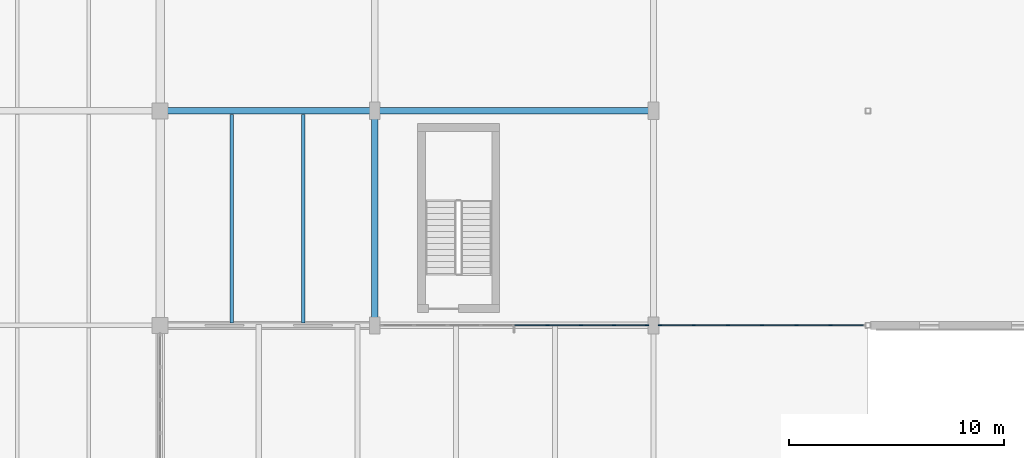
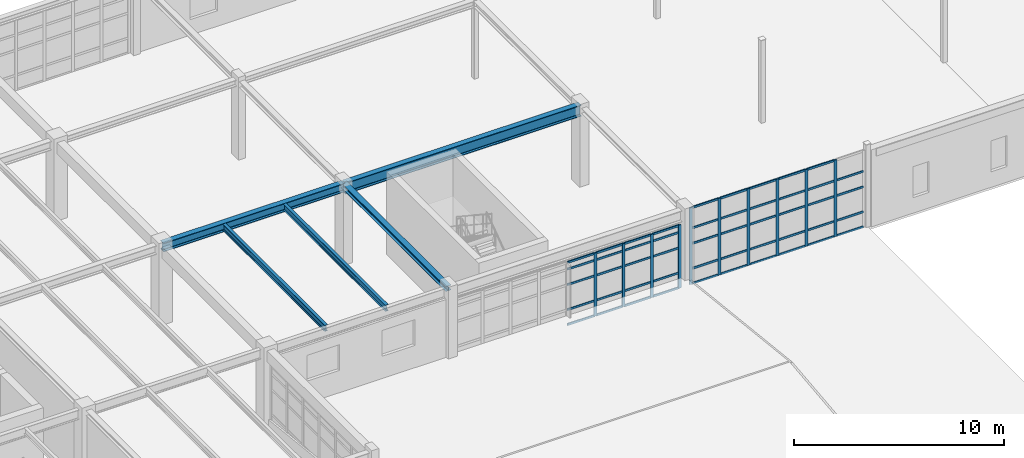
# One storey, part 29 of 139: 59 members, 5 beams, 2 elements without a shape of their own.
"""IFC4 building model written with IfcOpenShell, lengths in metres."""

from ifc_helpers import new_model, si_unit, direction, frame, origin, origin_2d, place, context, subcontext, project, spatial, rectangle, i_section, extrude, material, layer, layer_set, material_profile, profile_set, type_object, element, aggregate, save


model = new_model("IFC4")

# Units and contexts
model_context = context("Model", 3, precision=1e-05, world=origin(), true_north=direction((0.0, 1.0)))
body_context = subcontext(model_context, "Body", "Model", "MODEL_VIEW")
ifc_project = project(units=[si_unit("LENGTHUNIT", "METRE"), si_unit("AREAUNIT", "SQUARE_METRE"), si_unit("VOLUMEUNIT", "CUBIC_METRE"), si_unit("PLANEANGLEUNIT", "RADIAN"), si_unit("MASSUNIT", "GRAM", prefix="KILO"), si_unit("THERMODYNAMICTEMPERATUREUNIT", "KELVIN"), si_unit("POWERUNIT", "WATT")], contexts=[model_context])

# Site, building, storey
site_placement = place(None, origin())
site = spatial("IfcSite", under=ifc_project, at=site_placement, CompositionType="ELEMENT")
building_placement = place(site_placement, origin())
building = spatial("IfcBuilding", under=site, at=building_placement, Name="Korenveer Ferry Terminal", CompositionType="ELEMENT")
storey_placement = place(building_placement, frame((0.0, 0.0, 5.39990234375)))
storey = spatial("IfcBuildingStorey", under=building, at=storey_placement, Name="L01", CompositionType="ELEMENT", Elevation=5.39990234375)

# Curtain wall, members
ifc_material_1 = material(Name="Unitised bronze-and-glass curtain wall", Category="glass")
ifc_layer_1 = layer(ifc_material_1, 0.159912109375)
ifc_layer_set_1 = layer_set([ifc_layer_1], Name="Unitised bronze-and-glass curtain wall")
curtain_wall_type_1 = type_object("IfcCurtainWallType", Name="ENV-CW-38", PredefinedType="USERDEFINED", material=ifc_layer_set_1)
curtain_wall_1_placement = place(storey_placement, frame((40.280029296875, 20.0, 0.0)))
curtain_wall_1 = element("IfcCurtainWall", 1, at=curtain_wall_1_placement, inside=storey, type_object=curtain_wall_type_1, Name="Lancet curtain wall CWX-L01-X40-53-Y20-20", ObjectType="UNITISED CURTAIN WALL", PredefinedType="USERDEFINED")
ifc_material_2 = material(Name="Anodised bronze aluminium", Category="aluminium")
ifc_material_profile_1 = material_profile(ifc_material_2, rectangle(XDim=0.06005859375, YDim=0.159912109375, at=origin_2d()), Name="ALU 60x160")
ifc_profile_set_1 = profile_set([ifc_material_profile_1], Name="Anodised bronze aluminium")
member_type_1 = type_object("IfcMemberType", Name="ENV-CWM-60X160", PredefinedType="MULLION", material=ifc_profile_set_1)
member_1_placement = place(storey_placement, frame((48.054931640625, 20.0, 0.0), z_axis=(0.0, 0.0, 1.0), x_axis=(0.0, 1.0, 0.0)))
member_1 = element("IfcMember", 2, at=member_1_placement, type_object=member_type_1, Name="CW-38 mullion 6", PredefinedType="MULLION", context=body_context, shape_type="SweptSolid", body=[
    extrude(rectangle(XDim=0.06005859375, YDim=0.159912109375, at=origin_2d()), origin(), (0.0, 0.0, 1.0), 3.670166015625),
])
member_2_placement = place(storey_placement, frame((49.610107421875, 20.0, 0.0), z_axis=(0.0, 0.0, 1.0), x_axis=(0.0, 1.0, 0.0)))
member_2 = element("IfcMember", 3, at=member_2_placement, type_object=member_type_1, Name="CW-38 mullion 7", PredefinedType="MULLION", context=body_context, shape_type="SweptSolid", body=[
    extrude(rectangle(XDim=0.06005859375, YDim=0.159912109375, at=origin_2d()), origin(), (0.0, 0.0, 1.0), 3.670166015625),
])
member_3_placement = place(storey_placement, frame((51.1650390625, 20.0, 0.0), z_axis=(0.0, 0.0, 1.0), x_axis=(0.0, 1.0, 0.0)))
member_3 = element("IfcMember", 4, at=member_3_placement, type_object=member_type_1, Name="CW-38 mullion 8", PredefinedType="MULLION", context=body_context, shape_type="SweptSolid", body=[
    extrude(rectangle(XDim=0.06005859375, YDim=0.159912109375, at=origin_2d()), origin(), (0.0, 0.0, 1.0), 3.670166015625),
])
member_4_placement = place(storey_placement, frame((52.68994140625, 20.0, 0.0), z_axis=(0.0, 0.0, 1.0), x_axis=(0.0, 1.0, 0.0)))
member_4 = element("IfcMember", 5, at=member_4_placement, type_object=member_type_1, Name="CW-38 mullion 9", PredefinedType="MULLION", context=body_context, shape_type="SweptSolid", body=[
    extrude(rectangle(XDim=0.06005859375, YDim=0.159912109375, at=origin_2d()), origin(), (0.0, 0.0, 1.0), 3.670166015625),
])

ifc_layer_2 = layer(ifc_material_1, 0.159912109375)
ifc_layer_set_2 = layer_set([ifc_layer_2], Name="Unitised bronze-and-glass curtain wall")
curtain_wall_type_2 = type_object("IfcCurtainWallType", Name="ENV-CW-39", PredefinedType="USERDEFINED", material=ifc_layer_set_2)
curtain_wall_2_placement = place(storey_placement, frame((53.280029296875, 20.0, 0.0)))
curtain_wall_2 = element("IfcCurtainWall", 6, at=curtain_wall_2_placement, inside=storey, type_object=curtain_wall_type_2, Name="Lancet curtain wall CWX-L01-X53-63-Y20-20", ObjectType="UNITISED CURTAIN WALL", PredefinedType="USERDEFINED")
member_5_placement = place(storey_placement, frame((53.31005859375, 20.0, 0.0), z_axis=(0.0, 0.0, 1.0), x_axis=(0.0, 1.0, 0.0)))
member_5 = element("IfcMember", 7, at=member_5_placement, type_object=member_type_1, Name="CW-39 mullion 1", PredefinedType="MULLION", context=body_context, shape_type="SweptSolid", body=[
    extrude(rectangle(XDim=0.06005859375, YDim=0.159912109375, at=origin_2d()), origin(), (0.0, 0.0, 1.0), 4.460205078125),
])
member_6_placement = place(storey_placement, frame((54.874267578125, 20.0, 0.0), z_axis=(0.0, 0.0, 1.0), x_axis=(0.0, 1.0, 0.0)))
member_6 = element("IfcMember", 8, at=member_6_placement, type_object=member_type_1, Name="CW-39 mullion 2", PredefinedType="MULLION", context=body_context, shape_type="SweptSolid", body=[
    extrude(rectangle(XDim=0.06005859375, YDim=0.159912109375, at=origin_2d()), origin(), (0.0, 0.0, 1.0), 4.460205078125),
])
member_7_placement = place(storey_placement, frame((56.46826171875, 20.0, 0.0), z_axis=(0.0, 0.0, 1.0), x_axis=(0.0, 1.0, 0.0)))
member_7 = element("IfcMember", 9, at=member_7_placement, type_object=member_type_1, Name="CW-39 mullion 3", PredefinedType="MULLION", context=body_context, shape_type="SweptSolid", body=[
    extrude(rectangle(XDim=0.06005859375, YDim=0.159912109375, at=origin_2d()), origin(), (0.0, 0.0, 1.0), 4.460205078125),
])
member_8_placement = place(storey_placement, frame((58.0625, 20.0, 0.0), z_axis=(0.0, 0.0, 1.0), x_axis=(0.0, 1.0, 0.0)))
member_8 = element("IfcMember", 10, at=member_8_placement, type_object=member_type_1, Name="CW-39 mullion 4", PredefinedType="MULLION", context=body_context, shape_type="SweptSolid", body=[
    extrude(rectangle(XDim=0.06005859375, YDim=0.159912109375, at=origin_2d()), origin(), (0.0, 0.0, 1.0), 4.460205078125),
])
member_9_placement = place(storey_placement, frame((59.65673828125, 20.0, 0.0), z_axis=(0.0, 0.0, 1.0), x_axis=(0.0, 1.0, 0.0)))
member_9 = element("IfcMember", 11, at=member_9_placement, type_object=member_type_1, Name="CW-39 mullion 5", PredefinedType="MULLION", context=body_context, shape_type="SweptSolid", body=[
    extrude(rectangle(XDim=0.06005859375, YDim=0.159912109375, at=origin_2d()), origin(), (0.0, 0.0, 1.0), 4.460205078125),
])
member_10_placement = place(storey_placement, frame((61.250732421875, 20.0, 0.0), z_axis=(0.0, 0.0, 1.0), x_axis=(0.0, 1.0, 0.0)))
member_10 = element("IfcMember", 12, at=member_10_placement, type_object=member_type_1, Name="CW-39 mullion 6", PredefinedType="MULLION", context=body_context, shape_type="SweptSolid", body=[
    extrude(rectangle(XDim=0.06005859375, YDim=0.159912109375, at=origin_2d()), origin(), (0.0, 0.0, 1.0), 4.460205078125),
])

# Member
ifc_material_profile_2 = material_profile(ifc_material_2, rectangle(XDim=0.06005859375, YDim=0.1201171875, at=origin_2d()), Name="ALU 60x120")
ifc_profile_set_2 = profile_set([ifc_material_profile_2], Name="Anodised bronze aluminium")
member_type_2 = type_object("IfcMemberType", Name="ENV-CWT-60X120", PredefinedType="USERDEFINED", material=ifc_profile_set_2)
member_11_placement = place(storey_placement, frame((46.530029296875, 20.0, 0.030029296875), z_axis=(1.0, 0.0, 0.0), x_axis=(0.0, 1.0, 0.0)))
member_11 = element("IfcMember", 13, at=member_11_placement, type_object=member_type_2, Name="CW-38 transom 5.1", ObjectType="TRANSOM", PredefinedType="USERDEFINED", context=body_context, shape_type="SweptSolid", body=[
    extrude(rectangle(XDim=0.06005859375, YDim=0.1201171875, at=origin_2d()), origin(), (0.0, 0.0, 1.0), 1.494873046875),
])

member_12_placement = place(storey_placement, frame((46.530029296875, 20.0, 0.900146484375), z_axis=(1.0, 0.0, 0.0), x_axis=(0.0, 1.0, 0.0)))
member_12 = element("IfcMember", 14, at=member_12_placement, type_object=member_type_2, Name="CW-38 transom 5.2", ObjectType="TRANSOM", PredefinedType="USERDEFINED", context=body_context, shape_type="SweptSolid", body=[
    extrude(rectangle(XDim=0.06005859375, YDim=0.1201171875, at=origin_2d()), origin(), (0.0, 0.0, 1.0), 1.494873046875),
])

member_13_placement = place(storey_placement, frame((46.530029296875, 20.0, 2.35009765625), z_axis=(1.0, 0.0, 0.0), x_axis=(0.0, 1.0, 0.0)))
member_13 = element("IfcMember", 15, at=member_13_placement, type_object=member_type_2, Name="CW-38 transom 5.3", ObjectType="TRANSOM", PredefinedType="USERDEFINED", context=body_context, shape_type="SweptSolid", body=[
    extrude(rectangle(XDim=0.06005859375, YDim=0.1201171875, at=origin_2d()), origin(), (0.0, 0.0, 1.0), 1.494873046875),
])

member_14_placement = place(storey_placement, frame((46.530029296875, 20.0, 3.25), z_axis=(1.0, 0.0, 0.0), x_axis=(0.0, 1.0, 0.0)))
member_14 = element("IfcMember", 16, at=member_14_placement, type_object=member_type_2, Name="CW-38 transom 5.4", ObjectType="TRANSOM", PredefinedType="USERDEFINED", context=body_context, shape_type="SweptSolid", body=[
    extrude(rectangle(XDim=0.06005859375, YDim=0.1201171875, at=origin_2d()), origin(), (0.0, 0.0, 1.0), 1.494873046875),
])

member_15_placement = place(storey_placement, frame((46.530029296875, 20.0, 3.64013671875), z_axis=(1.0, 0.0, 0.0), x_axis=(0.0, 1.0, 0.0)))
member_15 = element("IfcMember", 17, at=member_15_placement, type_object=member_type_2, Name="CW-38 transom 5.5", ObjectType="TRANSOM", PredefinedType="USERDEFINED", context=body_context, shape_type="SweptSolid", body=[
    extrude(rectangle(XDim=0.06005859375, YDim=0.1201171875, at=origin_2d()), origin(), (0.0, 0.0, 1.0), 1.494873046875),
])

member_16_placement = place(storey_placement, frame((48.0849609375, 20.0, 0.030029296875), z_axis=(1.0, 0.0, 0.0), x_axis=(0.0, 1.0, 0.0)))
member_16 = element("IfcMember", 18, at=member_16_placement, type_object=member_type_2, Name="CW-38 transom 6.1", ObjectType="TRANSOM", PredefinedType="USERDEFINED", context=body_context, shape_type="SweptSolid", body=[
    extrude(rectangle(XDim=0.06005859375, YDim=0.1201171875, at=origin_2d()), origin(), (0.0, 0.0, 1.0), 1.4951171875),
])

member_17_placement = place(storey_placement, frame((48.0849609375, 20.0, 0.900146484375), z_axis=(1.0, 0.0, 0.0), x_axis=(0.0, 1.0, 0.0)))
member_17 = element("IfcMember", 19, at=member_17_placement, type_object=member_type_2, Name="CW-38 transom 6.2", ObjectType="TRANSOM", PredefinedType="USERDEFINED", context=body_context, shape_type="SweptSolid", body=[
    extrude(rectangle(XDim=0.06005859375, YDim=0.1201171875, at=origin_2d()), origin(), (0.0, 0.0, 1.0), 1.4951171875),
])

member_18_placement = place(storey_placement, frame((48.0849609375, 20.0, 2.35009765625), z_axis=(1.0, 0.0, 0.0), x_axis=(0.0, 1.0, 0.0)))
member_18 = element("IfcMember", 20, at=member_18_placement, type_object=member_type_2, Name="CW-38 transom 6.3", ObjectType="TRANSOM", PredefinedType="USERDEFINED", context=body_context, shape_type="SweptSolid", body=[
    extrude(rectangle(XDim=0.06005859375, YDim=0.1201171875, at=origin_2d()), origin(), (0.0, 0.0, 1.0), 1.4951171875),
])

member_19_placement = place(storey_placement, frame((48.0849609375, 20.0, 3.25), z_axis=(1.0, 0.0, 0.0), x_axis=(0.0, 1.0, 0.0)))
member_19 = element("IfcMember", 21, at=member_19_placement, type_object=member_type_2, Name="CW-38 transom 6.4", ObjectType="TRANSOM", PredefinedType="USERDEFINED", context=body_context, shape_type="SweptSolid", body=[
    extrude(rectangle(XDim=0.06005859375, YDim=0.1201171875, at=origin_2d()), origin(), (0.0, 0.0, 1.0), 1.4951171875),
])

member_20_placement = place(storey_placement, frame((48.0849609375, 20.0, 3.64013671875), z_axis=(1.0, 0.0, 0.0), x_axis=(0.0, 1.0, 0.0)))
member_20 = element("IfcMember", 22, at=member_20_placement, type_object=member_type_2, Name="CW-38 transom 6.5", ObjectType="TRANSOM", PredefinedType="USERDEFINED", context=body_context, shape_type="SweptSolid", body=[
    extrude(rectangle(XDim=0.06005859375, YDim=0.1201171875, at=origin_2d()), origin(), (0.0, 0.0, 1.0), 1.4951171875),
])

member_21_placement = place(storey_placement, frame((49.639892578125, 20.0, 0.030029296875), z_axis=(1.0, 0.0, 0.0), x_axis=(0.0, 1.0, 0.0)))
member_21 = element("IfcMember", 23, at=member_21_placement, type_object=member_type_2, Name="CW-38 transom 7.1", ObjectType="TRANSOM", PredefinedType="USERDEFINED", context=body_context, shape_type="SweptSolid", body=[
    extrude(rectangle(XDim=0.06005859375, YDim=0.1201171875, at=origin_2d()), origin(), (0.0, 0.0, 1.0), 1.4951171875),
])

member_22_placement = place(storey_placement, frame((49.639892578125, 20.0, 0.900146484375), z_axis=(1.0, 0.0, 0.0), x_axis=(0.0, 1.0, 0.0)))
member_22 = element("IfcMember", 24, at=member_22_placement, type_object=member_type_2, Name="CW-38 transom 7.2", ObjectType="TRANSOM", PredefinedType="USERDEFINED", context=body_context, shape_type="SweptSolid", body=[
    extrude(rectangle(XDim=0.06005859375, YDim=0.1201171875, at=origin_2d()), origin(), (0.0, 0.0, 1.0), 1.4951171875),
])

member_23_placement = place(storey_placement, frame((49.639892578125, 20.0, 2.35009765625), z_axis=(1.0, 0.0, 0.0), x_axis=(0.0, 1.0, 0.0)))
member_23 = element("IfcMember", 25, at=member_23_placement, type_object=member_type_2, Name="CW-38 transom 7.3", ObjectType="TRANSOM", PredefinedType="USERDEFINED", context=body_context, shape_type="SweptSolid", body=[
    extrude(rectangle(XDim=0.06005859375, YDim=0.1201171875, at=origin_2d()), origin(), (0.0, 0.0, 1.0), 1.4951171875),
])

member_24_placement = place(storey_placement, frame((49.639892578125, 20.0, 3.25), z_axis=(1.0, 0.0, 0.0), x_axis=(0.0, 1.0, 0.0)))
member_24 = element("IfcMember", 26, at=member_24_placement, type_object=member_type_2, Name="CW-38 transom 7.4", ObjectType="TRANSOM", PredefinedType="USERDEFINED", context=body_context, shape_type="SweptSolid", body=[
    extrude(rectangle(XDim=0.06005859375, YDim=0.1201171875, at=origin_2d()), origin(), (0.0, 0.0, 1.0), 1.4951171875),
])

member_25_placement = place(storey_placement, frame((49.639892578125, 20.0, 3.64013671875), z_axis=(1.0, 0.0, 0.0), x_axis=(0.0, 1.0, 0.0)))
member_25 = element("IfcMember", 27, at=member_25_placement, type_object=member_type_2, Name="CW-38 transom 7.5", ObjectType="TRANSOM", PredefinedType="USERDEFINED", context=body_context, shape_type="SweptSolid", body=[
    extrude(rectangle(XDim=0.06005859375, YDim=0.1201171875, at=origin_2d()), origin(), (0.0, 0.0, 1.0), 1.4951171875),
])

member_26_placement = place(storey_placement, frame((51.195068359375, 20.0, 0.030029296875), z_axis=(1.0, 0.0, 0.0), x_axis=(0.0, 1.0, 0.0)))
member_26 = element("IfcMember", 28, at=member_26_placement, type_object=member_type_2, Name="CW-38 transom 8.1", ObjectType="TRANSOM", PredefinedType="USERDEFINED", context=body_context, shape_type="SweptSolid", body=[
    extrude(rectangle(XDim=0.06005859375, YDim=0.1201171875, at=origin_2d()), origin(), (0.0, 0.0, 1.0), 1.46484375),
])

member_27_placement = place(storey_placement, frame((51.195068359375, 20.0, 0.900146484375), z_axis=(1.0, 0.0, 0.0), x_axis=(0.0, 1.0, 0.0)))
member_27 = element("IfcMember", 29, at=member_27_placement, type_object=member_type_2, Name="CW-38 transom 8.2", ObjectType="TRANSOM", PredefinedType="USERDEFINED", context=body_context, shape_type="SweptSolid", body=[
    extrude(rectangle(XDim=0.06005859375, YDim=0.1201171875, at=origin_2d()), origin(), (0.0, 0.0, 1.0), 1.46484375),
])

member_28_placement = place(storey_placement, frame((51.195068359375, 20.0, 2.35009765625), z_axis=(1.0, 0.0, 0.0), x_axis=(0.0, 1.0, 0.0)))
member_28 = element("IfcMember", 30, at=member_28_placement, type_object=member_type_2, Name="CW-38 transom 8.3", ObjectType="TRANSOM", PredefinedType="USERDEFINED", context=body_context, shape_type="SweptSolid", body=[
    extrude(rectangle(XDim=0.06005859375, YDim=0.1201171875, at=origin_2d()), origin(), (0.0, 0.0, 1.0), 1.46484375),
])

member_29_placement = place(storey_placement, frame((51.195068359375, 20.0, 3.25), z_axis=(1.0, 0.0, 0.0), x_axis=(0.0, 1.0, 0.0)))
member_29 = element("IfcMember", 31, at=member_29_placement, type_object=member_type_2, Name="CW-38 transom 8.4", ObjectType="TRANSOM", PredefinedType="USERDEFINED", context=body_context, shape_type="SweptSolid", body=[
    extrude(rectangle(XDim=0.06005859375, YDim=0.1201171875, at=origin_2d()), origin(), (0.0, 0.0, 1.0), 1.46484375),
])

member_30_placement = place(storey_placement, frame((51.195068359375, 20.0, 3.64013671875), z_axis=(1.0, 0.0, 0.0), x_axis=(0.0, 1.0, 0.0)))
member_30 = element("IfcMember", 32, at=member_30_placement, type_object=member_type_2, Name="CW-38 transom 8.5", ObjectType="TRANSOM", PredefinedType="USERDEFINED", context=body_context, shape_type="SweptSolid", body=[
    extrude(rectangle(XDim=0.06005859375, YDim=0.1201171875, at=origin_2d()), origin(), (0.0, 0.0, 1.0), 1.46484375),
])

aggregate(curtain_wall_1, [member_1, member_2, member_3, member_4, member_11, member_12, member_13, member_14, member_15, member_16, member_17, member_18, member_19, member_20, member_21, member_22, member_23, member_24, member_25, member_26, member_27, member_28, member_29, member_30])

member_31_placement = place(storey_placement, frame((53.340087890625, 20.0, 0.030029296875), z_axis=(1.0, 0.0, 0.0), x_axis=(0.0, 1.0, 0.0)))
member_31 = element("IfcMember", 33, at=member_31_placement, type_object=member_type_2, Name="CW-39 transom 1.1", ObjectType="TRANSOM", PredefinedType="USERDEFINED", context=body_context, shape_type="SweptSolid", body=[
    extrude(rectangle(XDim=0.06005859375, YDim=0.1201171875, at=origin_2d()), origin(), (0.0, 0.0, 1.0), 1.504150390625),
])

member_32_placement = place(storey_placement, frame((53.340087890625, 20.0, 0.900146484375), z_axis=(1.0, 0.0, 0.0), x_axis=(0.0, 1.0, 0.0)))
member_32 = element("IfcMember", 34, at=member_32_placement, type_object=member_type_2, Name="CW-39 transom 1.2", ObjectType="TRANSOM", PredefinedType="USERDEFINED", context=body_context, shape_type="SweptSolid", body=[
    extrude(rectangle(XDim=0.06005859375, YDim=0.1201171875, at=origin_2d()), origin(), (0.0, 0.0, 1.0), 1.504150390625),
])

member_33_placement = place(storey_placement, frame((53.340087890625, 20.0, 2.35009765625), z_axis=(1.0, 0.0, 0.0), x_axis=(0.0, 1.0, 0.0)))
member_33 = element("IfcMember", 35, at=member_33_placement, type_object=member_type_2, Name="CW-39 transom 1.3", ObjectType="TRANSOM", PredefinedType="USERDEFINED", context=body_context, shape_type="SweptSolid", body=[
    extrude(rectangle(XDim=0.06005859375, YDim=0.1201171875, at=origin_2d()), origin(), (0.0, 0.0, 1.0), 1.504150390625),
])

member_34_placement = place(storey_placement, frame((53.340087890625, 20.0, 3.25), z_axis=(1.0, 0.0, 0.0), x_axis=(0.0, 1.0, 0.0)))
member_34 = element("IfcMember", 36, at=member_34_placement, type_object=member_type_2, Name="CW-39 transom 1.4", ObjectType="TRANSOM", PredefinedType="USERDEFINED", context=body_context, shape_type="SweptSolid", body=[
    extrude(rectangle(XDim=0.06005859375, YDim=0.1201171875, at=origin_2d()), origin(), (0.0, 0.0, 1.0), 1.504150390625),
])

member_35_placement = place(storey_placement, frame((53.340087890625, 20.0, 4.43017578125), z_axis=(1.0, 0.0, 0.0), x_axis=(0.0, 1.0, 0.0)))
member_35 = element("IfcMember", 37, at=member_35_placement, type_object=member_type_2, Name="CW-39 transom 1.5", ObjectType="TRANSOM", PredefinedType="USERDEFINED", context=body_context, shape_type="SweptSolid", body=[
    extrude(rectangle(XDim=0.06005859375, YDim=0.1201171875, at=origin_2d()), origin(), (0.0, 0.0, 1.0), 1.504150390625),
])

member_36_placement = place(storey_placement, frame((54.904052734375, 20.0, 0.030029296875), z_axis=(1.0, 0.0, 0.0), x_axis=(0.0, 1.0, 0.0)))
member_36 = element("IfcMember", 38, at=member_36_placement, type_object=member_type_2, Name="CW-39 transom 2.1", ObjectType="TRANSOM", PredefinedType="USERDEFINED", context=body_context, shape_type="SweptSolid", body=[
    extrude(rectangle(XDim=0.06005859375, YDim=0.1201171875, at=origin_2d()), origin(), (0.0, 0.0, 1.0), 1.5341796875),
])

member_37_placement = place(storey_placement, frame((54.904052734375, 20.0, 0.900146484375), z_axis=(1.0, 0.0, 0.0), x_axis=(0.0, 1.0, 0.0)))
member_37 = element("IfcMember", 39, at=member_37_placement, type_object=member_type_2, Name="CW-39 transom 2.2", ObjectType="TRANSOM", PredefinedType="USERDEFINED", context=body_context, shape_type="SweptSolid", body=[
    extrude(rectangle(XDim=0.06005859375, YDim=0.1201171875, at=origin_2d()), origin(), (0.0, 0.0, 1.0), 1.5341796875),
])

member_38_placement = place(storey_placement, frame((54.904052734375, 20.0, 2.35009765625), z_axis=(1.0, 0.0, 0.0), x_axis=(0.0, 1.0, 0.0)))
member_38 = element("IfcMember", 40, at=member_38_placement, type_object=member_type_2, Name="CW-39 transom 2.3", ObjectType="TRANSOM", PredefinedType="USERDEFINED", context=body_context, shape_type="SweptSolid", body=[
    extrude(rectangle(XDim=0.06005859375, YDim=0.1201171875, at=origin_2d()), origin(), (0.0, 0.0, 1.0), 1.5341796875),
])

member_39_placement = place(storey_placement, frame((54.904052734375, 20.0, 3.25), z_axis=(1.0, 0.0, 0.0), x_axis=(0.0, 1.0, 0.0)))
member_39 = element("IfcMember", 41, at=member_39_placement, type_object=member_type_2, Name="CW-39 transom 2.4", ObjectType="TRANSOM", PredefinedType="USERDEFINED", context=body_context, shape_type="SweptSolid", body=[
    extrude(rectangle(XDim=0.06005859375, YDim=0.1201171875, at=origin_2d()), origin(), (0.0, 0.0, 1.0), 1.5341796875),
])

member_40_placement = place(storey_placement, frame((54.904052734375, 20.0, 4.43017578125), z_axis=(1.0, 0.0, 0.0), x_axis=(0.0, 1.0, 0.0)))
member_40 = element("IfcMember", 42, at=member_40_placement, type_object=member_type_2, Name="CW-39 transom 2.5", ObjectType="TRANSOM", PredefinedType="USERDEFINED", context=body_context, shape_type="SweptSolid", body=[
    extrude(rectangle(XDim=0.06005859375, YDim=0.1201171875, at=origin_2d()), origin(), (0.0, 0.0, 1.0), 1.5341796875),
])

member_41_placement = place(storey_placement, frame((56.498291015625, 20.0, 0.030029296875), z_axis=(1.0, 0.0, 0.0), x_axis=(0.0, 1.0, 0.0)))
member_41 = element("IfcMember", 43, at=member_41_placement, type_object=member_type_2, Name="CW-39 transom 3.1", ObjectType="TRANSOM", PredefinedType="USERDEFINED", context=body_context, shape_type="SweptSolid", body=[
    extrude(rectangle(XDim=0.06005859375, YDim=0.1201171875, at=origin_2d()), origin(), (0.0, 0.0, 1.0), 1.5341796875),
])

member_42_placement = place(storey_placement, frame((56.498291015625, 20.0, 0.900146484375), z_axis=(1.0, 0.0, 0.0), x_axis=(0.0, 1.0, 0.0)))
member_42 = element("IfcMember", 44, at=member_42_placement, type_object=member_type_2, Name="CW-39 transom 3.2", ObjectType="TRANSOM", PredefinedType="USERDEFINED", context=body_context, shape_type="SweptSolid", body=[
    extrude(rectangle(XDim=0.06005859375, YDim=0.1201171875, at=origin_2d()), origin(), (0.0, 0.0, 1.0), 1.5341796875),
])

member_43_placement = place(storey_placement, frame((56.498291015625, 20.0, 2.35009765625), z_axis=(1.0, 0.0, 0.0), x_axis=(0.0, 1.0, 0.0)))
member_43 = element("IfcMember", 45, at=member_43_placement, type_object=member_type_2, Name="CW-39 transom 3.3", ObjectType="TRANSOM", PredefinedType="USERDEFINED", context=body_context, shape_type="SweptSolid", body=[
    extrude(rectangle(XDim=0.06005859375, YDim=0.1201171875, at=origin_2d()), origin(), (0.0, 0.0, 1.0), 1.5341796875),
])

member_44_placement = place(storey_placement, frame((56.498291015625, 20.0, 3.25), z_axis=(1.0, 0.0, 0.0), x_axis=(0.0, 1.0, 0.0)))
member_44 = element("IfcMember", 46, at=member_44_placement, type_object=member_type_2, Name="CW-39 transom 3.4", ObjectType="TRANSOM", PredefinedType="USERDEFINED", context=body_context, shape_type="SweptSolid", body=[
    extrude(rectangle(XDim=0.06005859375, YDim=0.1201171875, at=origin_2d()), origin(), (0.0, 0.0, 1.0), 1.5341796875),
])

member_45_placement = place(storey_placement, frame((56.498291015625, 20.0, 4.43017578125), z_axis=(1.0, 0.0, 0.0), x_axis=(0.0, 1.0, 0.0)))
member_45 = element("IfcMember", 47, at=member_45_placement, type_object=member_type_2, Name="CW-39 transom 3.5", ObjectType="TRANSOM", PredefinedType="USERDEFINED", context=body_context, shape_type="SweptSolid", body=[
    extrude(rectangle(XDim=0.06005859375, YDim=0.1201171875, at=origin_2d()), origin(), (0.0, 0.0, 1.0), 1.5341796875),
])

member_46_placement = place(storey_placement, frame((58.092529296875, 20.0, 0.030029296875), z_axis=(1.0, 0.0, 0.0), x_axis=(0.0, 1.0, 0.0)))
member_46 = element("IfcMember", 48, at=member_46_placement, type_object=member_type_2, Name="CW-39 transom 4.1", ObjectType="TRANSOM", PredefinedType="USERDEFINED", context=body_context, shape_type="SweptSolid", body=[
    extrude(rectangle(XDim=0.06005859375, YDim=0.1201171875, at=origin_2d()), origin(), (0.0, 0.0, 1.0), 1.5341796875),
])

member_47_placement = place(storey_placement, frame((58.092529296875, 20.0, 0.900146484375), z_axis=(1.0, 0.0, 0.0), x_axis=(0.0, 1.0, 0.0)))
member_47 = element("IfcMember", 49, at=member_47_placement, type_object=member_type_2, Name="CW-39 transom 4.2", ObjectType="TRANSOM", PredefinedType="USERDEFINED", context=body_context, shape_type="SweptSolid", body=[
    extrude(rectangle(XDim=0.06005859375, YDim=0.1201171875, at=origin_2d()), origin(), (0.0, 0.0, 1.0), 1.5341796875),
])

member_48_placement = place(storey_placement, frame((58.092529296875, 20.0, 2.35009765625), z_axis=(1.0, 0.0, 0.0), x_axis=(0.0, 1.0, 0.0)))
member_48 = element("IfcMember", 50, at=member_48_placement, type_object=member_type_2, Name="CW-39 transom 4.3", ObjectType="TRANSOM", PredefinedType="USERDEFINED", context=body_context, shape_type="SweptSolid", body=[
    extrude(rectangle(XDim=0.06005859375, YDim=0.1201171875, at=origin_2d()), origin(), (0.0, 0.0, 1.0), 1.5341796875),
])

member_49_placement = place(storey_placement, frame((58.092529296875, 20.0, 3.25), z_axis=(1.0, 0.0, 0.0), x_axis=(0.0, 1.0, 0.0)))
member_49 = element("IfcMember", 51, at=member_49_placement, type_object=member_type_2, Name="CW-39 transom 4.4", ObjectType="TRANSOM", PredefinedType="USERDEFINED", context=body_context, shape_type="SweptSolid", body=[
    extrude(rectangle(XDim=0.06005859375, YDim=0.1201171875, at=origin_2d()), origin(), (0.0, 0.0, 1.0), 1.5341796875),
])

member_50_placement = place(storey_placement, frame((58.092529296875, 20.0, 4.43017578125), z_axis=(1.0, 0.0, 0.0), x_axis=(0.0, 1.0, 0.0)))
member_50 = element("IfcMember", 52, at=member_50_placement, type_object=member_type_2, Name="CW-39 transom 4.5", ObjectType="TRANSOM", PredefinedType="USERDEFINED", context=body_context, shape_type="SweptSolid", body=[
    extrude(rectangle(XDim=0.06005859375, YDim=0.1201171875, at=origin_2d()), origin(), (0.0, 0.0, 1.0), 1.5341796875),
])

member_51_placement = place(storey_placement, frame((59.686767578125, 20.0, 0.030029296875), z_axis=(1.0, 0.0, 0.0), x_axis=(0.0, 1.0, 0.0)))
member_51 = element("IfcMember", 53, at=member_51_placement, type_object=member_type_2, Name="CW-39 transom 5.1", ObjectType="TRANSOM", PredefinedType="USERDEFINED", context=body_context, shape_type="SweptSolid", body=[
    extrude(rectangle(XDim=0.06005859375, YDim=0.1201171875, at=origin_2d()), origin(), (0.0, 0.0, 1.0), 1.5341796875),
])

member_52_placement = place(storey_placement, frame((59.686767578125, 20.0, 0.900146484375), z_axis=(1.0, 0.0, 0.0), x_axis=(0.0, 1.0, 0.0)))
member_52 = element("IfcMember", 54, at=member_52_placement, type_object=member_type_2, Name="CW-39 transom 5.2", ObjectType="TRANSOM", PredefinedType="USERDEFINED", context=body_context, shape_type="SweptSolid", body=[
    extrude(rectangle(XDim=0.06005859375, YDim=0.1201171875, at=origin_2d()), origin(), (0.0, 0.0, 1.0), 1.5341796875),
])

member_53_placement = place(storey_placement, frame((59.686767578125, 20.0, 2.35009765625), z_axis=(1.0, 0.0, 0.0), x_axis=(0.0, 1.0, 0.0)))
member_53 = element("IfcMember", 55, at=member_53_placement, type_object=member_type_2, Name="CW-39 transom 5.3", ObjectType="TRANSOM", PredefinedType="USERDEFINED", context=body_context, shape_type="SweptSolid", body=[
    extrude(rectangle(XDim=0.06005859375, YDim=0.1201171875, at=origin_2d()), origin(), (0.0, 0.0, 1.0), 1.5341796875),
])

member_54_placement = place(storey_placement, frame((59.686767578125, 20.0, 3.25), z_axis=(1.0, 0.0, 0.0), x_axis=(0.0, 1.0, 0.0)))
member_54 = element("IfcMember", 56, at=member_54_placement, type_object=member_type_2, Name="CW-39 transom 5.4", ObjectType="TRANSOM", PredefinedType="USERDEFINED", context=body_context, shape_type="SweptSolid", body=[
    extrude(rectangle(XDim=0.06005859375, YDim=0.1201171875, at=origin_2d()), origin(), (0.0, 0.0, 1.0), 1.5341796875),
])

member_55_placement = place(storey_placement, frame((59.686767578125, 20.0, 4.43017578125), z_axis=(1.0, 0.0, 0.0), x_axis=(0.0, 1.0, 0.0)))
member_55 = element("IfcMember", 57, at=member_55_placement, type_object=member_type_2, Name="CW-39 transom 5.5", ObjectType="TRANSOM", PredefinedType="USERDEFINED", context=body_context, shape_type="SweptSolid", body=[
    extrude(rectangle(XDim=0.06005859375, YDim=0.1201171875, at=origin_2d()), origin(), (0.0, 0.0, 1.0), 1.5341796875),
])

member_56_placement = place(storey_placement, frame((61.28076171875, 20.0, 0.030029296875), z_axis=(1.0, 0.0, 0.0), x_axis=(0.0, 1.0, 0.0)))
member_56 = element("IfcMember", 58, at=member_56_placement, type_object=member_type_2, Name="CW-39 transom 6.1", ObjectType="TRANSOM", PredefinedType="USERDEFINED", context=body_context, shape_type="SweptSolid", body=[
    extrude(rectangle(XDim=0.06005859375, YDim=0.1201171875, at=origin_2d()), origin(), (0.0, 0.0, 1.0), 1.504150390625),
])

member_57_placement = place(storey_placement, frame((61.28076171875, 20.0, 0.900146484375), z_axis=(1.0, 0.0, 0.0), x_axis=(0.0, 1.0, 0.0)))
member_57 = element("IfcMember", 59, at=member_57_placement, type_object=member_type_2, Name="CW-39 transom 6.2", ObjectType="TRANSOM", PredefinedType="USERDEFINED", context=body_context, shape_type="SweptSolid", body=[
    extrude(rectangle(XDim=0.06005859375, YDim=0.1201171875, at=origin_2d()), origin(), (0.0, 0.0, 1.0), 1.504150390625),
])

member_58_placement = place(storey_placement, frame((61.28076171875, 20.0, 2.35009765625), z_axis=(1.0, 0.0, 0.0), x_axis=(0.0, 1.0, 0.0)))
member_58 = element("IfcMember", 60, at=member_58_placement, type_object=member_type_2, Name="CW-39 transom 6.3", ObjectType="TRANSOM", PredefinedType="USERDEFINED", context=body_context, shape_type="SweptSolid", body=[
    extrude(rectangle(XDim=0.06005859375, YDim=0.1201171875, at=origin_2d()), origin(), (0.0, 0.0, 1.0), 1.504150390625),
])

member_59_placement = place(storey_placement, frame((61.28076171875, 20.0, 3.25), z_axis=(1.0, 0.0, 0.0), x_axis=(0.0, 1.0, 0.0)))
member_59 = element("IfcMember", 61, at=member_59_placement, type_object=member_type_2, Name="CW-39 transom 6.4", ObjectType="TRANSOM", PredefinedType="USERDEFINED", context=body_context, shape_type="SweptSolid", body=[
    extrude(rectangle(XDim=0.06005859375, YDim=0.1201171875, at=origin_2d()), origin(), (0.0, 0.0, 1.0), 1.504150390625),
])

aggregate(curtain_wall_2, [member_5, member_6, member_7, member_8, member_9, member_10, member_31, member_32, member_33, member_34, member_35, member_36, member_37, member_38, member_39, member_40, member_41, member_42, member_43, member_44, member_45, member_46, member_47, member_48, member_49, member_50, member_51, member_52, member_53, member_54, member_55, member_56, member_57, member_58, member_59])

# Beams
ifc_material_3 = material(Name="Steel S355", Category="steel")
ifc_material_profile_3 = material_profile(ifc_material_3, i_section(OverallWidth=0.300048828125, OverallDepth=0.2900390625, WebThickness=0.008544921875, FlangeThickness=0.013916015625, FilletRadius=0.027099609375, at=origin_2d()), Name="HEA 300")
ifc_profile_set_3 = profile_set([ifc_material_profile_3], Name="Steel S355")
beam_type_1 = type_object("IfcBeamType", Name="STR-BM-HEA300", PredefinedType="BEAM", material=ifc_profile_set_3)
beam_1_placement = place(storey_placement, frame((40.0, 20.02001953125, 4.405029296875), z_axis=(0.0, 1.0, 0.0), x_axis=(-1.0, 0.0, 0.0)))
element("IfcBeam", 62, at=beam_1_placement, inside=storey, type_object=beam_type_1, Name="Primary Y girder BMY-L02-X40-Y20-30", PredefinedType="BEAM", context=body_context, shape_type="SweptSolid", body=[
    extrude(i_section(OverallWidth=0.300048828125, OverallDepth=0.2900390625, WebThickness=0.008544921875, FlangeThickness=0.013916015625, FilletRadius=0.027099609375, at=origin_2d()), origin(), (0.0, 0.0, 1.0), 9.9599609375),
])
ifc_material_profile_4 = material_profile(ifc_material_3, i_section(OverallWidth=0.300048828125, OverallDepth=0.5, WebThickness=0.014404296875, FlangeThickness=0.028076171875, FilletRadius=0.027099609375, at=origin_2d()), Name="HEB 500")
ifc_profile_set_4 = profile_set([ifc_material_profile_4], Name="Steel S355")
beam_type_2 = type_object("IfcBeamType", Name="STR-BM-HEB500", PredefinedType="BEAM", material=ifc_profile_set_4)
beam_2_placement = place(storey_placement, frame((30.02001953125, 30.0, 4.300048828125), z_axis=(1.0, 0.0, 0.0), x_axis=(0.0, 1.0, 0.0)))
element("IfcBeam", 63, at=beam_2_placement, inside=storey, type_object=beam_type_2, Name="Primary X girder BMX-L02-X30-40-Y30", PredefinedType="BEAM", context=body_context, shape_type="SweptSolid", body=[
    extrude(i_section(OverallWidth=0.300048828125, OverallDepth=0.5, WebThickness=0.014404296875, FlangeThickness=0.028076171875, FilletRadius=0.027099609375, at=origin_2d()), origin(), (0.0, 0.0, 1.0), 9.9599609375),
])
ifc_material_profile_5 = material_profile(ifc_material_3, i_section(OverallWidth=0.300048828125, OverallDepth=0.64990234375, WebThickness=0.01611328125, FlangeThickness=0.031005859375, FilletRadius=0.027099609375, at=origin_2d()), Name="HEB 650")
ifc_profile_set_5 = profile_set([ifc_material_profile_5], Name="Steel S355")
beam_type_3 = type_object("IfcBeamType", Name="STR-BM-HEB650", PredefinedType="BEAM", material=ifc_profile_set_5)
beam_3_placement = place(storey_placement, frame((40.02001953125, 30.0, 4.22509765625), z_axis=(1.0, 0.0, 0.0), x_axis=(0.0, 1.0, 0.0)))
element("IfcBeam", 64, at=beam_3_placement, inside=storey, type_object=beam_type_3, Name="Primary X girder BMX-L02-X40-53-Y30", PredefinedType="BEAM", context=body_context, shape_type="SweptSolid", body=[
    extrude(i_section(OverallWidth=0.300048828125, OverallDepth=0.64990234375, WebThickness=0.01611328125, FlangeThickness=0.031005859375, FilletRadius=0.027099609375, at=origin_2d()), origin(), (0.0, 0.0, 1.0), 12.9599609375),
])
ifc_material_profile_6 = material_profile(ifc_material_3, i_section(OverallWidth=0.169921875, OverallDepth=0.360107421875, WebThickness=0.008056640625, FlangeThickness=0.0126953125, FilletRadius=0.01806640625, at=origin_2d()), Name="IPE 360")
ifc_profile_set_6 = profile_set([ifc_material_profile_6], Name="Steel S355")
beam_type_4 = type_object("IfcBeamType", Name="STR-JST-IPE360", PredefinedType="JOIST", material=ifc_profile_set_6)
for number, where, z_axis, x_axis, name in (
    (65, (33.333251953125, 20.114990234375, 4.3701171875), (0.0, 1.0, 0.0), (-1.0, 0.0, 0.0), "Secondary composite joist JST-L02-X333-Y20-30"),
    (66, (36.666748046875, 20.114990234375, 4.3701171875), (0.0, 1.0, 0.0), (-1.0, 0.0, 0.0), "Secondary composite joist JST-L02-X367-Y20-30"),
):
    element("IfcBeam", number, at=place(storey_placement, frame(where, z_axis=z_axis, x_axis=x_axis)), inside=storey, type_object=beam_type_4, Name=name, PredefinedType="JOIST", context=body_context, shape_type="SweptSolid", body=[
        extrude(i_section(OverallWidth=0.169921875, OverallDepth=0.360107421875, WebThickness=0.008056640625, FlangeThickness=0.0126953125, FilletRadius=0.01806640625, at=origin_2d()), origin(), (0.0, 0.0, 1.0), 9.72509765625),
    ])

save(model, "model.ifc")
